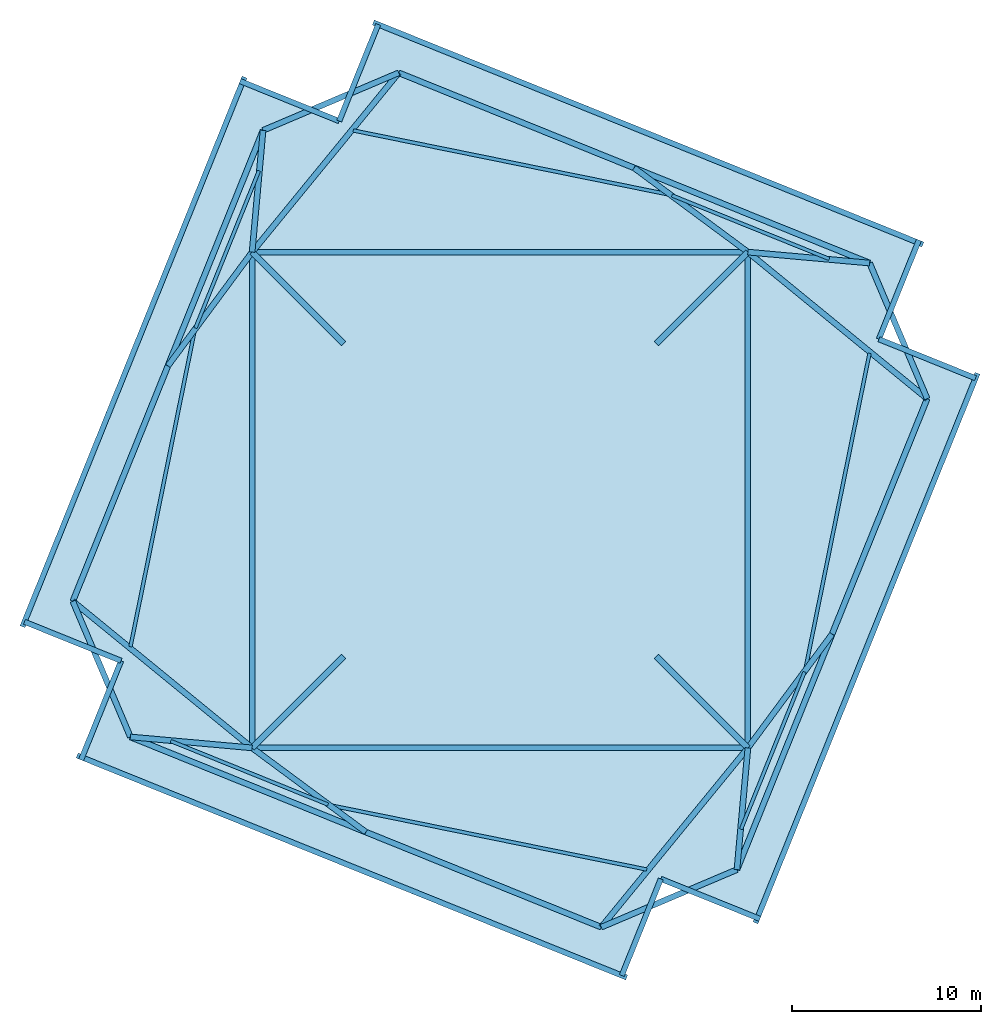
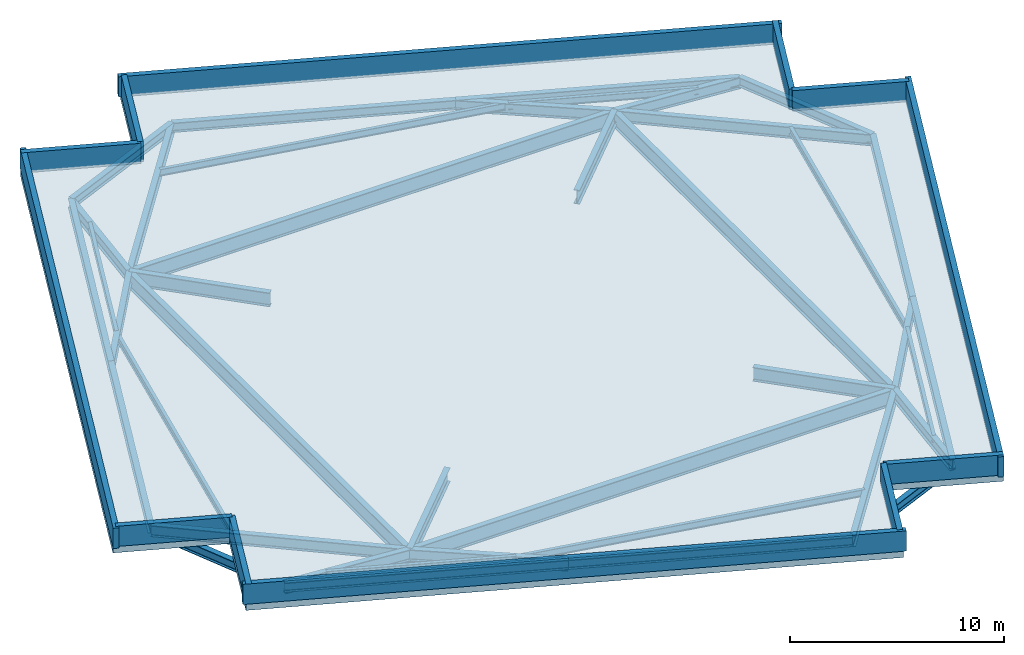
# One storey, part 1 of 2: 40 beams, 12 walls, 1 slab.
"""IFC4 building model written with IfcOpenShell, lengths in metres."""

from ifc_helpers import new_model, si_unit, direction, frame, frame_2d, origin, origin_2d, place, context, subcontext, project, spatial, polyline, rectangle, i_section, outline, extrude, source, transform, mapped, material, layer, layer_set, material_profile, profile_set, type_object, element, save


model = new_model("IFC4")

# Units and contexts
model_context = context("Model", 3, precision=1e-05, world=origin(), true_north=direction((0.0, 1.0)))
body_context = subcontext(model_context, "Body", "Model", "MODEL_VIEW")
ifc_project = project(units=[si_unit("LENGTHUNIT", "METRE"), si_unit("AREAUNIT", "SQUARE_METRE"), si_unit("VOLUMEUNIT", "CUBIC_METRE"), si_unit("PLANEANGLEUNIT", "RADIAN"), si_unit("MASSUNIT", "GRAM", prefix="KILO"), si_unit("THERMODYNAMICTEMPERATUREUNIT", "KELVIN")], contexts=[model_context])

# Site, building, storey
site_placement = place(None, origin())
site = spatial("IfcSite", under=ifc_project, at=site_placement, CompositionType="ELEMENT")
building_placement = place(site_placement, origin())
building = spatial("IfcBuilding", under=site, at=building_placement, Name="Kosmvard Interchange Tower", CompositionType="ELEMENT")
storey_placement = place(building_placement, frame((0.0, 0.0, 345.60009765625)))
storey = spatial("IfcBuildingStorey", under=building, at=storey_placement, Name="RF", CompositionType="ELEMENT", Elevation=345.60009765625)

# Beams
ifc_material_1 = material(Name="Steel S355", Category="steel")
ifc_material_profile_1 = material_profile(ifc_material_1, i_section(OverallWidth=0.300048828125, OverallDepth=0.800048828125, WebThickness=0.017578125, FlangeThickness=0.032958984375, FilletRadius=0.027099609375, at=origin_2d()), Name="HEB 800")
ifc_profile_set_1 = profile_set([ifc_material_profile_1], Name="Steel S355")
beam_type_1 = type_object("IfcBeamType", Name="Primary Mega-Frame Girder HEB 800 S355", PredefinedType="BEAM", material=ifc_profile_set_1)
shared_shape_1 = source(origin(), body_context, "Body", "SweptSolid", [
    extrude(i_section(OverallWidth=0.300048828125, OverallDepth=0.800048828125, WebThickness=0.017578125, FlangeThickness=0.032958984375, FilletRadius=0.027099609375, at=origin_2d()), origin(), (0.0, 0.0, 1.0), 6.83203125),
])
for number, where, z_axis, x_axis, name in (
    (1, (-8.25, -8.25, -0.75), (-0.707106781187, -0.707106781187, 0.0), (0.707106781187, -0.707106781187, 0.0), "RF Radial Mega-Frame Girder 1"),
    (2, (8.25, -8.25, -0.75), (0.707106781187, -0.707106781187, 0.0), (0.707106781187, 0.707106781187, 0.0), "RF Radial Mega-Frame Girder 2"),
    (3, (8.25, 8.25, -0.75), (0.707106781187, 0.707106781187, 0.0), (-0.707106781187, 0.707106781187, 0.0), "RF Radial Mega-Frame Girder 3"),
    (4, (-8.25, 8.25, -0.75), (-0.707106781187, 0.707106781187, 0.0), (-0.707106781187, -0.707106781187, 0.0), "RF Radial Mega-Frame Girder 4"),
):
    element("IfcBeam", number, at=place(storey_placement, frame(where, z_axis=z_axis, x_axis=x_axis)), inside=storey, type_object=beam_type_1, Name=name, PredefinedType="BEAM", context=body_context, shape_type="MappedRepresentation", body=[
        mapped(shared_shape_1, transform((0.0, 0.0, 0.0), scale=1.0)),
    ])
ifc_material_profile_2 = material_profile(ifc_material_1, i_section(OverallWidth=0.300048828125, OverallDepth=0.89990234375, WebThickness=0.0185546875, FlangeThickness=0.034912109375, FilletRadius=0.030029296875, at=origin_2d()), Name="HEB 900")
ifc_profile_set_2 = profile_set([ifc_material_profile_2], Name="Steel S355")
beam_type_2 = type_object("IfcBeamType", Name="Mega-Column Ring Girder HEB 900 S355", PredefinedType="BEAM", material=ifc_profile_set_2)
shared_shape_2 = source(origin(), body_context, "Body", "SweptSolid", [
    extrude(i_section(OverallWidth=0.300048828125, OverallDepth=0.89990234375, WebThickness=0.0185546875, FlangeThickness=0.034912109375, FilletRadius=0.030029296875, at=origin_2d()), origin(), (0.0, 0.0, 1.0), 26.162109375),
])
for number, where, z_axis, x_axis, name in (
    (5, (-13.0810546875, -13.0810546875, -0.800048828125), (1.0, 0.0, 0.0), (0.0, 1.0, 0.0), "RF Mega-Column Ring Girder 1"),
    (6, (13.0810546875, -13.0810546875, -0.800048828125), (0.0, 1.0, 0.0), (-1.0, 0.0, 0.0), "RF Mega-Column Ring Girder 2"),
    (7, (13.0810546875, 13.0810546875, -0.800048828125), (-1.0, 0.0, 0.0), (0.0, -1.0, 0.0), "RF Mega-Column Ring Girder 3"),
    (8, (-13.0810546875, 13.0810546875, -0.800048828125), (0.0, -1.0, 0.0), (1.0, 0.0, 0.0), "RF Mega-Column Ring Girder 4"),
):
    element("IfcBeam", number, at=place(storey_placement, frame(where, z_axis=z_axis, x_axis=x_axis)), inside=storey, type_object=beam_type_2, Name=name, PredefinedType="BEAM", context=body_context, shape_type="MappedRepresentation", body=[
        mapped(shared_shape_2, transform((0.0, 0.0, 0.0), scale=1.0)),
    ])
ifc_material_profile_3 = material_profile(ifc_material_1, i_section(OverallWidth=0.300048828125, OverallDepth=0.550048828125, WebThickness=0.014892578125, FlangeThickness=0.029052734375, FilletRadius=0.027099609375, at=origin_2d()), Name="HEB 550")
ifc_profile_set_3 = profile_set([ifc_material_profile_3], Name="Steel S355")
beam_type_3 = type_object("IfcBeamType", Name="Crown Ring Cap Girder HEB 550 S355", PredefinedType="BEAM", material=ifc_profile_set_3)
shared_shape_3 = source(origin(), body_context, "Body", "SweptSolid", [
    extrude(i_section(OverallWidth=0.300048828125, OverallDepth=0.550048828125, WebThickness=0.014892578125, FlangeThickness=0.029052734375, FilletRadius=0.027099609375, at=origin_2d()), origin(), (0.0, 0.0, 1.0), 13.39990234375),
])
for number, where, z_axis, x_axis, name in (
    (9, (12.504150390625, -19.50439453125, -0.625), (0.374592580972, 0.927189515839, 0.0), (-0.927189515839, 0.374592580972, 0.0), "BM-RF-PR01"),
    (10, (19.50439453125, 12.504150390625, -0.625), (-0.927189515839, 0.374592580972, 0.0), (-0.374592580972, -0.927189515839, 0.0), "BM-RF-PR04"),
    (11, (-12.504150390625, 19.50439453125, -0.625), (-0.374592580972, -0.927189515839, 0.0), (0.927189515839, -0.374592580972, 0.0), "BM-RF-PR07"),
    (12, (-19.50439453125, -12.504150390625, -0.625), (0.927189515839, -0.374592580972, 0.0), (0.374592580972, 0.927189515839, 0.0), "BM-RF-PR10"),
):
    element("IfcBeam", number, at=place(storey_placement, frame(where, z_axis=z_axis, x_axis=x_axis)), inside=storey, type_object=beam_type_3, Name=name, PredefinedType="BEAM", context=body_context, shape_type="MappedRepresentation", body=[
        mapped(shared_shape_3, transform((0.0, 0.0, 0.0), scale=1.0)),
    ])
ifc_material_profile_4 = material_profile(ifc_material_1, i_section(OverallWidth=0.300048828125, OverallDepth=0.64990234375, WebThickness=0.01611328125, FlangeThickness=0.031005859375, FilletRadius=0.027099609375, at=origin_2d()), Name="HEB 650")
ifc_profile_set_4 = profile_set([ifc_material_profile_4], Name="Steel S355")
beam_type_4 = type_object("IfcBeamType", Name="Primary Floor Girder HEB 650 S355", PredefinedType="BEAM", material=ifc_profile_set_4)
shared_shape_4 = source(origin(), body_context, "Body", "SweptSolid", [
    extrude(i_section(OverallWidth=0.300048828125, OverallDepth=0.64990234375, WebThickness=0.01611328125, FlangeThickness=0.031005859375, FilletRadius=0.027099609375, at=origin_2d()), origin(), (0.0, 0.0, 1.0), 6.44921875),
])
for number, where, z_axis, x_axis, name in (
    (13, (13.0810546875, -13.0810546875, -0.675048828125), (-0.089453694068, -0.995990982197, 0.0), (0.995990982197, -0.089453694068, 0.0), "BM-RF-RD01"),
    (14, (13.0810546875, 13.0810546875, -0.675048828125), (0.995990982197, -0.089453694068, 0.0), (0.089453694068, 0.995990982197, 0.0), "BM-RF-RD04"),
    (15, (-13.0810546875, 13.0810546875, -0.675048828125), (0.089453694068, 0.995990982197, 0.0), (-0.995990982197, 0.089453694068, 0.0), "BM-RF-RD07"),
    (16, (-13.0810546875, -13.0810546875, -0.675048828125), (-0.995990982197, 0.089453694068, 0.0), (-0.089453694068, -0.995990982197, 0.0), "BM-RF-RD10"),
):
    element("IfcBeam", number, at=place(storey_placement, frame(where, z_axis=z_axis, x_axis=x_axis)), inside=storey, type_object=beam_type_4, Name=name, PredefinedType="BEAM", context=body_context, shape_type="MappedRepresentation", body=[
        mapped(shared_shape_4, transform((0.0, 0.0, 0.0), scale=1.0)),
    ])
shared_shape_5 = source(origin(), body_context, "Body", "SweptSolid", [
    extrude(i_section(OverallWidth=0.300048828125, OverallDepth=0.550048828125, WebThickness=0.014892578125, FlangeThickness=0.029052734375, FilletRadius=0.027099609375, at=origin_2d()), origin(), (0.0, 0.0, 1.0), 13.400146484375),
])
for number, where, z_axis, x_axis, name in (
    (17, (17.523681640625, -7.080078125, -0.625), (0.374608243744, 0.927183187789, 0.0), (-0.927183187789, 0.374608243744, 0.0), "BM-RF-PR02"),
    (18, (7.080078125, 17.523681640625, -0.625), (-0.927183187789, 0.374608243744, 0.0), (-0.374608243744, -0.927183187789, 0.0), "BM-RF-PR05"),
    (19, (-17.523681640625, 7.080078125, -0.625), (-0.374608243744, -0.927183187789, 0.0), (0.927183187789, -0.374608243744, 0.0), "BM-RF-PR08"),
    (20, (-7.080078125, -17.523681640625, -0.625), (0.927183187789, -0.374608243744, 0.0), (0.374608243744, 0.927183187789, 0.0), "BM-RF-PR11"),
):
    element("IfcBeam", number, at=place(storey_placement, frame(where, z_axis=z_axis, x_axis=x_axis)), inside=storey, type_object=beam_type_3, Name=name, PredefinedType="BEAM", context=body_context, shape_type="MappedRepresentation", body=[
        mapped(shared_shape_5, transform((0.0, 0.0, 0.0), scale=1.0)),
    ])
shared_shape_6 = source(origin(), body_context, "Body", "SweptSolid", [
    extrude(i_section(OverallWidth=0.300048828125, OverallDepth=0.64990234375, WebThickness=0.01611328125, FlangeThickness=0.031005859375, FilletRadius=0.027099609375, at=origin_2d()), origin(), (0.0, 0.0, 1.0), 7.466552734375),
])
for number, where, z_axis, x_axis, name in (
    (21, (13.0810546875, -13.0810546875, -0.675048828125), (0.595007793491, 0.803719929879, 0.0), (-0.803719929879, 0.595007793491, 0.0), "BM-RF-RD02"),
    (22, (13.0810546875, 13.0810546875, -0.675048828125), (-0.803719929879, 0.595007793491, 0.0), (-0.595007793491, -0.803719929879, 0.0), "BM-RF-RD05"),
    (23, (-13.0810546875, 13.0810546875, -0.675048828125), (-0.595007793491, -0.803719929879, 0.0), (0.803719929879, -0.595007793491, 0.0), "BM-RF-RD08"),
    (24, (-13.0810546875, -13.0810546875, -0.675048828125), (0.803719929879, -0.595007793491, 0.0), (0.595007793491, 0.803719929879, 0.0), "BM-RF-RD11"),
):
    element("IfcBeam", number, at=place(storey_placement, frame(where, z_axis=z_axis, x_axis=x_axis)), inside=storey, type_object=beam_type_4, Name=name, PredefinedType="BEAM", context=body_context, shape_type="MappedRepresentation", body=[
        mapped(shared_shape_6, transform((0.0, 0.0, 0.0), scale=1.0)),
    ])
shared_shape_7 = source(origin(), body_context, "Body", "SweptSolid", [
    extrude(i_section(OverallWidth=0.300048828125, OverallDepth=0.550048828125, WebThickness=0.014892578125, FlangeThickness=0.029052734375, FilletRadius=0.027099609375, at=origin_2d()), origin(), (0.0, 0.0, 1.0), 7.778076171875),
])
for number, where, z_axis, x_axis, name in (
    (25, (22.54345703125, 5.34423828125, -0.625), (-0.39071589075, 0.92051132134, 0.0), (-0.92051132134, -0.39071589075, 0.0), "BM-RF-PR03"),
    (26, (-5.34423828125, 22.54345703125, -0.625), (-0.92051132134, -0.39071589075, 0.0), (0.39071589075, -0.92051132134, 0.0), "BM-RF-PR06"),
    (27, (-22.54345703125, -5.34423828125, -0.625), (0.39071589075, -0.92051132134, 0.0), (0.92051132134, 0.39071589075, 0.0), "BM-RF-PR09"),
    (28, (5.34423828125, -22.54345703125, -0.625), (0.92051132134, 0.39071589075, 0.0), (-0.39071589075, 0.92051132134, 0.0), "BM-RF-PR12"),
):
    element("IfcBeam", number, at=place(storey_placement, frame(where, z_axis=z_axis, x_axis=x_axis)), inside=storey, type_object=beam_type_3, Name=name, PredefinedType="BEAM", context=body_context, shape_type="MappedRepresentation", body=[
        mapped(shared_shape_7, transform((0.0, 0.0, 0.0), scale=1.0)),
    ])
shared_shape_8 = source(origin(), body_context, "Body", "SweptSolid", [
    extrude(i_section(OverallWidth=0.300048828125, OverallDepth=0.64990234375, WebThickness=0.01611328125, FlangeThickness=0.031005859375, FilletRadius=0.027099609375, at=origin_2d()), origin(), (0.0, 0.0, 1.0), 12.22265625),
])
for number, where, z_axis, x_axis, name in (
    (29, (13.0810546875, 13.0810546875, -0.675048828125), (0.774163725034, -0.632985408079, 0.0), (0.632985408079, 0.774163725034, 0.0), "BM-RF-RD03"),
    (30, (-13.0810546875, 13.0810546875, -0.675048828125), (0.632985408079, 0.774163725034, 0.0), (-0.774163725034, 0.632985408079, 0.0), "BM-RF-RD06"),
    (31, (-13.0810546875, -13.0810546875, -0.675048828125), (-0.774163725034, 0.632985408079, 0.0), (-0.632985408079, -0.774163725034, 0.0), "BM-RF-RD09"),
    (32, (13.0810546875, -13.0810546875, -0.675048828125), (-0.632985408079, -0.774163725034, 0.0), (0.774163725034, -0.632985408079, 0.0), "BM-RF-RD12"),
):
    element("IfcBeam", number, at=place(storey_placement, frame(where, z_axis=z_axis, x_axis=x_axis)), inside=storey, type_object=beam_type_4, Name=name, PredefinedType="BEAM", context=body_context, shape_type="MappedRepresentation", body=[
        mapped(shared_shape_8, transform((0.0, 0.0, 0.0), scale=1.0)),
    ])
ifc_material_profile_5 = material_profile(ifc_material_1, i_section(OverallWidth=0.179931640625, OverallDepth=0.39990234375, WebThickness=0.008544921875, FlangeThickness=0.013427734375, FilletRadius=0.02099609375, at=origin_2d()), Name="IPE 400")
ifc_profile_set_5 = profile_set([ifc_material_profile_5], Name="Steel S355")
beam_type_5 = type_object("IfcBeamType", Name="Upper-Zone Floor Joist IPE 400 S355", PredefinedType="JOIST", material=ifc_profile_set_5)
shared_shape_9 = source(origin(), body_context, "Body", "SweptSolid", [
    extrude(i_section(OverallWidth=0.179931640625, OverallDepth=0.39990234375, WebThickness=0.008544921875, FlangeThickness=0.013427734375, FilletRadius=0.02099609375, at=origin_2d()), origin(), (0.0, 0.0, 1.0), 8.9521484375),
])
for number, where, z_axis, x_axis, name in (
    (33, (12.71875, -17.374755859375, -0.550048828125), (0.374581187736, 0.927194118723, 0.0), (-0.927194118723, 0.374581187736, 0.0), "BM-RF-FJ01"),
    (34, (17.374755859375, 12.71875, -0.550048828125), (-0.927194118723, 0.374581187736, 0.0), (-0.374581187736, -0.927194118723, 0.0), "BM-RF-FJ03"),
    (35, (-12.71875, 17.374755859375, -0.550048828125), (-0.374581187736, -0.927194118723, 0.0), (0.927194118723, -0.374581187736, 0.0), "BM-RF-FJ05"),
    (36, (-17.374755859375, -12.71875, -0.550048828125), (0.927194118723, -0.374581187736, 0.0), (0.374581187736, 0.927194118723, 0.0), "BM-RF-FJ07"),
):
    element("IfcBeam", number, at=place(storey_placement, frame(where, z_axis=z_axis, x_axis=x_axis)), inside=storey, type_object=beam_type_5, Name=name, PredefinedType="JOIST", context=body_context, shape_type="MappedRepresentation", body=[
        mapped(shared_shape_9, transform((0.0, 0.0, 0.0), scale=1.0)),
    ])
shared_shape_10 = source(origin(), body_context, "Body", "SweptSolid", [
    extrude(i_section(OverallWidth=0.179931640625, OverallDepth=0.39990234375, WebThickness=0.008544921875, FlangeThickness=0.013427734375, FilletRadius=0.02099609375, at=origin_2d()), origin(), (0.0, 0.0, 1.0), 17.0029296875),
])
for number, where, z_axis, x_axis, name in (
    (37, (16.117919921875, -8.921875, -0.550048828125), (0.198882162837, 0.98002341059, 0.0), (-0.98002341059, 0.198882162837, 0.0), "BM-RF-FJ02"),
    (38, (8.921875, 16.117919921875, -0.550048828125), (-0.98002341059, 0.198882162837, 0.0), (-0.198882162837, -0.98002341059, 0.0), "BM-RF-FJ04"),
    (39, (-16.117919921875, 8.921875, -0.550048828125), (-0.198882162837, -0.98002341059, 0.0), (0.98002341059, -0.198882162837, 0.0), "BM-RF-FJ06"),
    (40, (-8.921875, -16.117919921875, -0.550048828125), (0.98002341059, -0.198882162837, 0.0), (0.198882162837, 0.98002341059, 0.0), "BM-RF-FJ08"),
):
    element("IfcBeam", number, at=place(storey_placement, frame(where, z_axis=z_axis, x_axis=x_axis)), inside=storey, type_object=beam_type_5, Name=name, PredefinedType="JOIST", context=body_context, shape_type="MappedRepresentation", body=[
        mapped(shared_shape_10, transform((0.0, 0.0, 0.0), scale=1.0)),
    ])

# Slab
ifc_material_2 = material(Name="Concrete C50/60", Category="concrete")
ifc_layer_1 = layer(ifc_material_2, 0.35009765625, Name="Concrete C50/60")
ifc_layer_set_1 = layer_set([ifc_layer_1], Name="Concrete C50/60")
slab_type = type_object("IfcSlabType", Name="Lantern Main Roof Deck Slab 350 C50/60", PredefinedType="ROOF", material=ifc_layer_set_1)
slab_placement = place(storey_placement, frame((0.0, 0.0, -0.35009765625)))
element("IfcSlab", 41, at=slab_placement, inside=storey, type_object=slab_type, Name="Lantern Main Roof Deck Slab", PredefinedType="ROOF", context=body_context, shape_type="SweptSolid", body=[
    extrude(outline(polyline([(13.66455078125, -22.238037109375), (25.27734375, 6.504638671875), (20.177734375, 8.56494140625), (22.238037109375, 13.66455078125), (-6.504638671875, 25.27734375), (-8.56494140625, 20.177734375), (-13.66455078125, 22.238037109375), (-25.27734375, -6.504638671875), (-20.177734375, -8.56494140625), (-22.238037109375, -13.66455078125), (6.504638671875, -25.27734375), (8.56494140625, -20.177734375), (13.66455078125, -22.238037109375)])), origin(), (0.0, 0.0, 1.0), 0.35009765625),
])

# Walls
ifc_material_3 = material(Name="Precast concrete C45/55", Category="concrete")
ifc_layer_2 = layer(ifc_material_3, 0.280029296875, Name="Precast concrete C45/55")
ifc_layer_set_2 = layer_set([ifc_layer_2], Name="Precast concrete C45/55")
wall_type = type_object("IfcWallType", Name="Planted Roof & Terrace Parapet Wall 280 C45/55", PredefinedType="PARAPET", material=ifc_layer_set_2)
wall_1_placement = place(storey_placement, frame((13.482177734375, -22.3154296875, 0.0), z_axis=(0.0, 0.0, 1.0), x_axis=(0.374610032523, 0.92718246507, 0.0)))
element("IfcWall", 42, at=wall_1_placement, inside=storey, type_object=wall_type, Name="RF Crown Roof Parapet Wall F-S", PredefinedType="PARAPET", context=body_context, shape_type="SweptSolid", body=[
    extrude(rectangle(XDim=31.280029296875, YDim=0.280029296875, at=frame_2d((15.64013671875, 0.0))), origin(), (0.0, 0.0, 1.0), 1.14990234375),
])
wall_2_placement = place(storey_placement, frame((25.094970703125, 6.42724609375, 0.0), z_axis=(0.0, 0.0, 1.0), x_axis=(-0.927182247671, 0.374610570599, 0.0)))
element("IfcWall", 43, at=wall_2_placement, inside=storey, type_object=wall_type, Name="RF Crown Roof Parapet Wall N-SE1", PredefinedType="PARAPET", context=body_context, shape_type="SweptSolid", body=[
    extrude(rectangle(XDim=5.499755859375, YDim=0.280029296875, at=frame_2d((2.75, 0.0))), origin(), (0.0, 0.0, 1.0), 1.14990234375),
])
wall_3_placement = place(storey_placement, frame((19.99560546875, 8.487548828125, 0.0), z_axis=(0.0, 0.0, 1.0), x_axis=(0.374612631954, 0.927181414816, 0.0)))
element("IfcWall", 44, at=wall_3_placement, inside=storey, type_object=wall_type, Name="RF Crown Roof Parapet Wall N-SE2", PredefinedType="PARAPET", context=body_context, shape_type="SweptSolid", body=[
    extrude(rectangle(XDim=5.639892578125, YDim=0.280029296875, at=frame_2d((2.81982421875, 0.0))), origin(), (0.0, 0.0, 1.0), 1.14990234375),
])
wall_4_placement = place(storey_placement, frame((22.3154296875, 13.482177734375, 0.0), z_axis=(0.0, 0.0, 1.0), x_axis=(-0.92718246507, 0.374610032523, 0.0)))
element("IfcWall", 45, at=wall_4_placement, inside=storey, type_object=wall_type, Name="RF Crown Roof Parapet Wall F-E", PredefinedType="PARAPET", context=body_context, shape_type="SweptSolid", body=[
    extrude(rectangle(XDim=31.280029296875, YDim=0.280029296875, at=frame_2d((15.64013671875, 0.0))), origin(), (0.0, 0.0, 1.0), 1.14990234375),
])
wall_5_placement = place(storey_placement, frame((-6.42724609375, 25.094970703125, 0.0), z_axis=(0.0, 0.0, 1.0), x_axis=(-0.374610570599, -0.927182247671, 0.0)))
element("IfcWall", 46, at=wall_5_placement, inside=storey, type_object=wall_type, Name="RF Crown Roof Parapet Wall N-NE1", PredefinedType="PARAPET", context=body_context, shape_type="SweptSolid", body=[
    extrude(rectangle(XDim=5.499755859375, YDim=0.280029296875, at=frame_2d((2.75, 0.0))), origin(), (0.0, 0.0, 1.0), 1.14990234375),
])
wall_6_placement = place(storey_placement, frame((-8.487548828125, 19.99560546875, 0.0), z_axis=(0.0, 0.0, 1.0), x_axis=(-0.927181414816, 0.374612631954, 0.0)))
element("IfcWall", 47, at=wall_6_placement, inside=storey, type_object=wall_type, Name="RF Crown Roof Parapet Wall N-NE2", PredefinedType="PARAPET", context=body_context, shape_type="SweptSolid", body=[
    extrude(rectangle(XDim=5.639892578125, YDim=0.280029296875, at=frame_2d((2.81982421875, 0.0))), origin(), (0.0, 0.0, 1.0), 1.14990234375),
])
wall_7_placement = place(storey_placement, frame((-13.482177734375, 22.3154296875, 0.0), z_axis=(0.0, 0.0, 1.0), x_axis=(-0.374610032523, -0.92718246507, 0.0)))
element("IfcWall", 48, at=wall_7_placement, inside=storey, type_object=wall_type, Name="RF Crown Roof Parapet Wall F-N", PredefinedType="PARAPET", context=body_context, shape_type="SweptSolid", body=[
    extrude(rectangle(XDim=31.280029296875, YDim=0.280029296875, at=frame_2d((15.64013671875, 0.0))), origin(), (0.0, 0.0, 1.0), 1.14990234375),
])
wall_8_placement = place(storey_placement, frame((-25.094970703125, -6.42724609375, 0.0), z_axis=(0.0, 0.0, 1.0), x_axis=(0.927182247671, -0.374610570599, 0.0)))
element("IfcWall", 49, at=wall_8_placement, inside=storey, type_object=wall_type, Name="RF Crown Roof Parapet Wall N-NW1", PredefinedType="PARAPET", context=body_context, shape_type="SweptSolid", body=[
    extrude(rectangle(XDim=5.499755859375, YDim=0.280029296875, at=frame_2d((2.75, 0.0))), origin(), (0.0, 0.0, 1.0), 1.14990234375),
])
wall_9_placement = place(storey_placement, frame((-19.99560546875, -8.487548828125, 0.0), z_axis=(0.0, 0.0, 1.0), x_axis=(-0.374612631954, -0.927181414816, 0.0)))
element("IfcWall", 50, at=wall_9_placement, inside=storey, type_object=wall_type, Name="RF Crown Roof Parapet Wall N-NW2", PredefinedType="PARAPET", context=body_context, shape_type="SweptSolid", body=[
    extrude(rectangle(XDim=5.639892578125, YDim=0.280029296875, at=frame_2d((2.81982421875, 0.0))), origin(), (0.0, 0.0, 1.0), 1.14990234375),
])
wall_10_placement = place(storey_placement, frame((-22.3154296875, -13.482177734375, 0.0), z_axis=(0.0, 0.0, 1.0), x_axis=(0.92718246507, -0.374610032523, 0.0)))
element("IfcWall", 51, at=wall_10_placement, inside=storey, type_object=wall_type, Name="RF Crown Roof Parapet Wall F-W", PredefinedType="PARAPET", context=body_context, shape_type="SweptSolid", body=[
    extrude(rectangle(XDim=31.280029296875, YDim=0.280029296875, at=frame_2d((15.64013671875, 0.0))), origin(), (0.0, 0.0, 1.0), 1.14990234375),
])
wall_11_placement = place(storey_placement, frame((6.42724609375, -25.094970703125, 0.0), z_axis=(0.0, 0.0, 1.0), x_axis=(0.374610570599, 0.927182247671, 0.0)))
element("IfcWall", 52, at=wall_11_placement, inside=storey, type_object=wall_type, Name="RF Crown Roof Parapet Wall N-SW1", PredefinedType="PARAPET", context=body_context, shape_type="SweptSolid", body=[
    extrude(rectangle(XDim=5.499755859375, YDim=0.280029296875, at=frame_2d((2.75, 0.0))), origin(), (0.0, 0.0, 1.0), 1.14990234375),
])
wall_12_placement = place(storey_placement, frame((8.487548828125, -19.99560546875, 0.0), z_axis=(0.0, 0.0, 1.0), x_axis=(0.927181414816, -0.374612631954, 0.0)))
element("IfcWall", 53, at=wall_12_placement, inside=storey, type_object=wall_type, Name="RF Crown Roof Parapet Wall N-SW2", PredefinedType="PARAPET", context=body_context, shape_type="SweptSolid", body=[
    extrude(rectangle(XDim=5.639892578125, YDim=0.280029296875, at=frame_2d((2.81982421875, 0.0))), origin(), (0.0, 0.0, 1.0), 1.14990234375),
])

save(model, "model.ifc")
